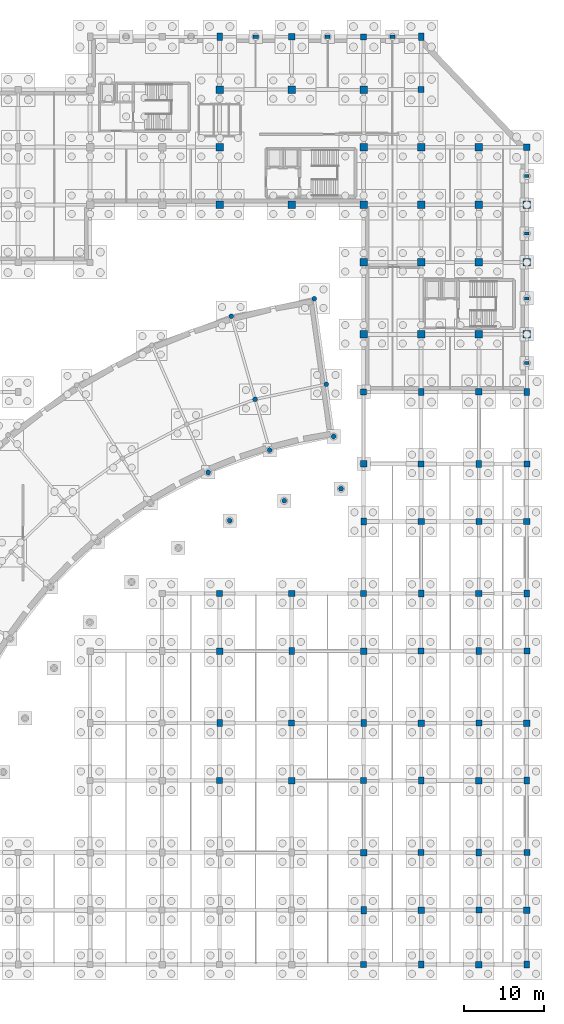
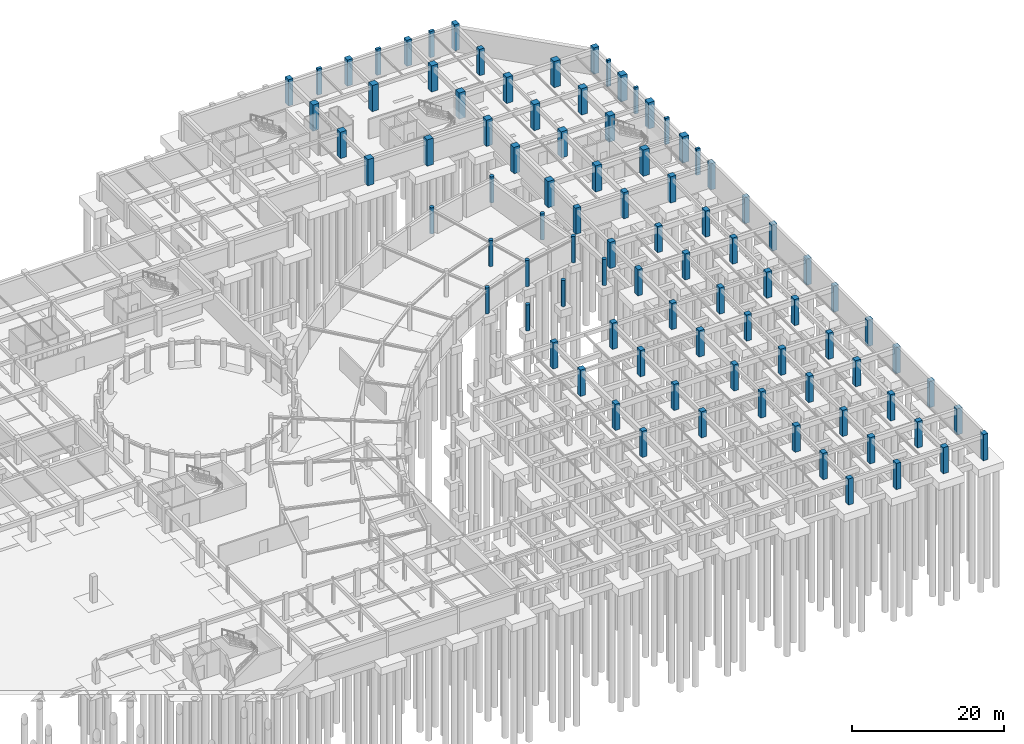
# One storey, part 16 of 42: 92 columns.
"""IFC4 building model written with IfcOpenShell, lengths in metres."""

import ifcopenshell
import ifcopenshell.guid

model = None  # the IFC model being written
_history = None  # IfcOwnerHistory: only IFC2X3 demands one
_inside = {}  # id of a spatial element -> (the spatial element, [elements in it])
_under = {}  # id of a project, library or spatial element -> (it, [spatial elements below it])
_declared = {}  # id of a project -> (the project, [libraries it declares])
_typed = {}  # id of a type object -> (the type object, [elements of that type])
_made_of = {}  # id of a material, layer set ... -> (it, [elements and type objects made of it])


def new_model(schema):
    """Start an empty IFC model of exactly this schema.

    Asked for "IFC4X3", IfcOpenShell would pick the latest addendum, in which some entities
    have other attributes; the version numbers below select the first issue.
    IFC2X3 requires an IfcOwnerHistory on every rooted entity: one is made here for all.
    """
    global model, _history
    if schema == "IFC4X3":
        model = ifcopenshell.file(schema_version=(4, 3, 0, 0))
    else:
        model = ifcopenshell.file(schema=schema)
    _inside.clear()
    _under.clear()
    _declared.clear()
    _typed.clear()
    _made_of.clear()
    _history = None
    if model.schema == "IFC2X3":
        org = make("IfcOrganization", Name="unknown")
        user = make(
            "IfcPersonAndOrganization",
            ThePerson=make("IfcPerson", FamilyName="unknown"),
            TheOrganization=org,
        )
        app = make(
            "IfcApplication",
            ApplicationDeveloper=org,
            Version="unknown",
            ApplicationFullName="unknown",
            ApplicationIdentifier="unknown",
        )
        _history = make(
            "IfcOwnerHistory",
            OwningUser=user,
            OwningApplication=app,
            ChangeAction="ADDED",
            CreationDate=0,
        )
    return model


def make(cls, **values):
    """One entity of the class cls with the attributes given. An attribute that is None is left unset."""
    return model.create_entity(
        cls, **{name: value for name, value in values.items() if value is not None}
    )


def rooted(cls, **values):
    """An entity with a GlobalId (a new one), such as an element, a storey or a relation."""
    return make(cls, GlobalId=ifcopenshell.guid.new(), OwnerHistory=_history, **values)


def si_unit(unit_type, name, prefix=None):
    """IfcSIUnit, for example si_unit("LENGTHUNIT", "METRE", prefix="MILLI")."""
    return make("IfcSIUnit", UnitType=unit_type, Prefix=prefix, Name=name)


def assignment(units):
    """IfcUnitAssignment: the units of a project."""
    return None if units is None else make("IfcUnitAssignment", Units=units)


def point(xyz):
    """IfcCartesianPoint."""
    return None if xyz is None else make("IfcCartesianPoint", Coordinates=xyz)


def direction(xyz):
    """IfcDirection."""
    return None if xyz is None else make("IfcDirection", DirectionRatios=xyz)


def frame(location, z_axis=None, x_axis=None):
    """IfcAxis2Placement3D, a coordinate frame: its origin and axes. An axis left out is left unset."""
    return make(
        "IfcAxis2Placement3D",
        Location=point(location),
        Axis=direction(z_axis),
        RefDirection=direction(x_axis),
    )


def frame_2d(location, x_axis=None):
    """IfcAxis2Placement2D, a coordinate frame in the plane: its origin and x axis."""
    return make(
        "IfcAxis2Placement2D", Location=point(location), RefDirection=direction(x_axis)
    )


def origin():
    """The frame at (0, 0, 0) with its axes left unset."""
    return frame((0.0, 0.0, 0.0))


def origin_2d():
    """The frame at (0, 0) in the plane with its x axis left unset."""
    return frame_2d((0.0, 0.0))


def place(relative_to, where):
    """IfcLocalPlacement: puts the frame where relative to a parent placement (None: the world)."""
    return make(
        "IfcLocalPlacement", PlacementRelTo=relative_to, RelativePlacement=where
    )


def context(
    kind, dimensions, precision=None, world=None, true_north=None, identifier=None
):
    """IfcGeometricRepresentationContext, for example the 3D "Model" context."""
    return make(
        "IfcGeometricRepresentationContext",
        ContextIdentifier=identifier,
        ContextType=kind,
        CoordinateSpaceDimension=dimensions,
        Precision=precision,
        WorldCoordinateSystem=world,
        TrueNorth=true_north,
    )


def subcontext(parent, identifier, kind, view, scale=None):
    """IfcGeometricRepresentationSubContext, for example "Body" below "Model"."""
    return make(
        "IfcGeometricRepresentationSubContext",
        ContextIdentifier=identifier,
        ContextType=kind,
        ParentContext=parent,
        TargetScale=scale,
        TargetView=view,
    )


def project(units=None, contexts=None):
    """IfcProject with its units and contexts."""
    return rooted(
        "IfcProject",
        Name="project",
        RepresentationContexts=contexts,
        UnitsInContext=assignment(units),
    )


def spatial(cls, under=None, at=None, **own):
    """A site, building, storey or space (cls), placed at a placement, below another one or the project."""
    s = rooted(cls, ObjectPlacement=at, **own)
    if under is not None:
        _under.setdefault(under.id(), (under, []))[1].append(s)
    return s


def profile(cls, at=None, kind="AREA", **sizes):
    """A parametric profile (cls). Its sizes go by their IFC names, for example OverallWidth=200.0."""
    return make(cls, ProfileType=kind, Position=at, **sizes)


def rectangle(**sizes):
    """IfcRectangleProfileDef."""
    return profile("IfcRectangleProfileDef", **sizes)


def circle(**sizes):
    """IfcCircleProfileDef."""
    return profile("IfcCircleProfileDef", **sizes)


def extrude(swept, where, along, depth):
    """IfcExtrudedAreaSolid: the profile swept, set in the frame where, extruded along a direction by depth."""
    return make(
        "IfcExtrudedAreaSolid",
        SweptArea=swept,
        Position=where,
        ExtrudedDirection=direction(along),
        Depth=depth,
    )


def shape(context_of_items, identifier, shape_type, items):
    """IfcShapeRepresentation: the items that make up one representation, for example the "Body"."""
    return make(
        "IfcShapeRepresentation",
        ContextOfItems=context_of_items,
        RepresentationIdentifier=identifier,
        RepresentationType=shape_type,
        Items=items,
    )


def material(Name=None, Category=None):
    """IfcMaterial."""
    return make("IfcMaterial", Name=Name, Category=Category)


def material_profile(
    of_material, cross_section, Name=None, Category=None, Priority=None
):
    """IfcMaterialProfile: a cross section and its material."""
    return make(
        "IfcMaterialProfile",
        Name=Name,
        Material=of_material,
        Profile=cross_section,
        Priority=Priority,
        Category=Category,
    )


def profile_set(profiles, Name=None, composite=None):
    """IfcMaterialProfileSet."""
    return make(
        "IfcMaterialProfileSet",
        Name=Name,
        MaterialProfiles=profiles,
        CompositeProfile=composite,
    )


def made_of(thing, what):
    """Note that an element or type object is made of a material, layer set ...; save() writes the relation."""
    if what is not None:
        _made_of.setdefault(what.id(), (what, []))[1].append(thing)
    return thing


def type_object(cls, material=None, **own):
    """A type object (cls), such as IfcWallType, which elements share."""
    return made_of(rooted(cls, **own), material)


def element(
    cls,
    number,
    at=None,
    inside=None,
    cuts=None,
    type_object=None,
    material=None,
    context=None,
    identifier="Body",
    shape_type=None,
    held_by="IfcProductDefinitionShape",
    body=None,
    shapes=None,
    **own,
):
    """One element of the class cls, such as IfcWall. Its Tag is "e" and its number.

    at: its placement. inside: the storey or other place that contains it. cuts: it is an
    opening in that element (IfcRelVoidsElement). A single representation is given by context,
    identifier, shape_type and body (its items); several are given by shapes. held_by: the class
    of the entity that holds the representations. save() writes the other relations.
    """
    e = rooted(cls, Tag="e%d" % number, ObjectPlacement=at, **own)
    if body is not None:
        shapes = [shape(context, identifier, shape_type, body)]
    if shapes is not None:
        e.Representation = make(held_by, Representations=shapes)
    if inside is not None:
        _inside.setdefault(inside.id(), (inside, []))[1].append(e)
    if cuts is not None:
        rooted(
            "IfcRelVoidsElement", RelatingBuildingElement=cuts, RelatedOpeningElement=e
        )
    if type_object is not None:
        _typed.setdefault(type_object.id(), (type_object, []))[1].append(e)
    return made_of(e, material)


def aggregate(whole, parts):
    """IfcRelAggregates: a whole, such as a stair, and the parts it consists of."""
    return rooted("IfcRelAggregates", RelatingObject=whole, RelatedObjects=parts)


def save(model, path):
    """Write the relations noted so far, then the file.

    IfcRelAggregates (storeys below a building ...), IfcRelContainedInSpatialStructure (elements
    in a storey), IfcRelDefinesByType, IfcRelAssociatesMaterial and IfcRelDeclares: one each for
    every whole, place, type object, material and project.
    """
    for whole, parts in _under.values():
        aggregate(whole, parts)
    for where, things in _inside.values():
        rooted(
            "IfcRelContainedInSpatialStructure",
            RelatedElements=things,
            RelatingStructure=where,
        )
    for kind, things in _typed.values():
        rooted("IfcRelDefinesByType", RelatedObjects=things, RelatingType=kind)
    for what, things in _made_of.values():
        rooted("IfcRelAssociatesMaterial", RelatedObjects=things, RelatingMaterial=what)
    for by, libraries in _declared.values():
        rooted("IfcRelDeclares", RelatingContext=by, RelatedDefinitions=libraries)
    model.write(path)


model = new_model("IFC4")

# Units and contexts
model_context = context("Model", 3, precision=1e-05, world=origin(), true_north=direction((0.0, 1.0)))
body_context = subcontext(model_context, "Body", "Model", "MODEL_VIEW")
ifc_project = project(units=[si_unit("LENGTHUNIT", "METRE"), si_unit("AREAUNIT", "SQUARE_METRE"), si_unit("VOLUMEUNIT", "CUBIC_METRE"), si_unit("PLANEANGLEUNIT", "RADIAN"), si_unit("MASSUNIT", "GRAM", prefix="KILO")], contexts=[model_context])

# Site, building, storey
site_placement = place(None, origin())
site = spatial("IfcSite", under=ifc_project, at=site_placement, CompositionType="ELEMENT")
building_placement = place(site_placement, origin())
building = spatial("IfcBuilding", under=site, at=building_placement, Name="Clarverna Civic Hall", CompositionType="ELEMENT")
storey_placement = place(building_placement, frame((0.0, 0.0, -4.199951171875)))
storey = spatial("IfcBuildingStorey", under=building, at=storey_placement, Name="B01", CompositionType="ELEMENT", Elevation=-4.199951171875)

# Columns
ifc_material_1 = material(Name="Concrete C35/45", Category="concrete")
ifc_material_profile_1 = material_profile(ifc_material_1, circle(Radius=0.300048828125, at=origin_2d()), Name="RC D600")
ifc_profile_set_1 = profile_set([ifc_material_profile_1], Name="Concrete C35/45")
column_type_1 = type_object("IfcColumnType", Name="C-CV1", PredefinedType="COLUMN", material=ifc_profile_set_1)
for number, where, z_axis, x_axis, name in (
    (1, (142.92578125, 72.5654296875, 0.0), (0.0, 0.0, 1.0), (1.0, 0.0, 0.0), "C-CV1-001"),
    (2, (134.0283203125, 70.67431640625, 0.0), (0.0, 0.0, 1.0), (1.0, 0.0, 0.0), "C-CV1-003"),
    (3, (141.4228515625, 83.260498046875, 0.0), (0.0, 0.0, 1.0), (1.0, 0.0, 0.0), "C-CV1-021"),
    (4, (131.051513671875, 81.055908203125, 0.0), (0.0, 0.0, 1.0), (1.0, 0.0, 0.0), "C-CV1-023"),
    (5, (143.844482421875, 66.02978515625, 0.0), (0.0, 0.0, 1.0), (1.0, 0.0, 0.0), "C-CV1-039"),
    (6, (135.84765625, 64.329833984375, 0.0), (0.0, 0.0, 1.0), (1.0, 0.0, 0.0), "C-CV1-041"),
    (7, (128.165283203125, 61.53369140625, 0.0), (0.0, 0.0, 1.0), (1.0, 0.0, 0.0), "C-CV1-043"),
    (8, (144.762939453125, 59.493896484375, 0.0), (0.0, 0.0, 1.0), (1.0, 0.0, 0.0), "C-CV1-059"),
    (9, (137.6669921875, 57.985595703125, 0.0), (0.0, 0.0, 1.0), (1.0, 0.0, 0.0), "C-CV1-061"),
    (10, (130.849609375, 55.50439453125, 0.0), (0.0, 0.0, 1.0), (1.0, 0.0, 0.0), "C-CV1-063"),
):
    element("IfcColumn", number, at=place(storey_placement, frame(where, z_axis=z_axis, x_axis=x_axis)), inside=storey, type_object=column_type_1, Name=name, PredefinedType="COLUMN", context=body_context, shape_type="SweptSolid", body=[
        extrude(circle(Radius=0.300048828125, at=origin_2d()), origin(), (0.0, 0.0, 1.0), 4.199951171875),
    ])
ifc_material_2 = material(Name="Precast concrete C40/50", Category="concrete")
ifc_material_profile_2 = material_profile(ifc_material_2, rectangle(XDim=0.64990234375, YDim=0.419921875, at=origin_2d()), Name="PILASTER 650x420")
ifc_profile_set_2 = profile_set([ifc_material_profile_2], Name="Precast concrete C40/50")
column_type_2 = type_object("IfcColumnType", Name="C-PL1", PredefinedType="PILASTER", material=ifc_profile_set_2)
for number, where, z_axis, x_axis, name in (
    (11, (134.10009765625, 116.0, 0.0), (0.0, 0.0, 1.0), (1.0, 0.0, 0.0), "C-PL1-015"),
    (12, (143.10009765625, 116.0, 0.0), (0.0, 0.0, 1.0), (1.0, 0.0, 0.0), "C-PL1-022"),
    (13, (151.199951171875, 116.0, 0.0), (0.0, 0.0, 1.0), (1.0, 0.0, 0.0), "C-PL1-029"),
):
    element("IfcColumn", number, at=place(storey_placement, frame(where, z_axis=z_axis, x_axis=x_axis)), inside=storey, type_object=column_type_2, Name=name, PredefinedType="PILASTER", context=body_context, shape_type="SweptSolid", body=[
        extrude(rectangle(XDim=0.64990234375, YDim=0.419921875, at=origin_2d()), origin(), (0.0, 0.0, 1.0), 4.199951171875),
    ])
ifc_material_profile_3 = material_profile(ifc_material_2, rectangle(XDim=0.580078125, YDim=0.3798828125, at=origin_2d()), Name="PILASTER 580x380")
ifc_profile_set_3 = profile_set([ifc_material_profile_3], Name="Precast concrete C40/50")
column_type_3 = type_object("IfcColumnType", Name="C-PL2", PredefinedType="PILASTER", material=ifc_profile_set_3)
for number, where, z_axis, x_axis, name in (
    (14, (168.0, 75.199951171875, 0.0), (0.0, 0.0, 1.0), (1.0, 0.0, 0.0), "C-PL2-001"),
    (15, (168.0, 83.300048828125, 0.0), (0.0, 0.0, 1.0), (1.0, 0.0, 0.0), "C-PL2-008"),
    (16, (168.0, 91.39990234375, 0.0), (0.0, 0.0, 1.0), (1.0, 0.0, 0.0), "C-PL2-015"),
    (17, (168.0, 98.60009765625, 0.0), (0.0, 0.0, 1.0), (1.0, 0.0, 0.0), "C-PL2-022"),
):
    element("IfcColumn", number, at=place(storey_placement, frame(where, z_axis=z_axis, x_axis=x_axis)), inside=storey, type_object=column_type_3, Name=name, PredefinedType="PILASTER", context=body_context, shape_type="SweptSolid", body=[
        extrude(rectangle(XDim=0.580078125, YDim=0.3798828125, at=origin_2d()), origin(), (0.0, 0.0, 1.0), 4.199951171875),
    ])
ifc_material_3 = material(Name="Concrete C40/50", Category="concrete")
ifc_material_profile_4 = material_profile(ifc_material_3, rectangle(XDim=0.949951171875, YDim=0.949951171875, at=origin_2d()), Name="RC 950x950")
ifc_profile_set_4 = profile_set([ifc_material_profile_4], Name="Concrete C40/50")
column_type_4 = type_object("IfcColumnType", Name="C-RC1", PredefinedType="COLUMN", material=ifc_profile_set_4)
for number, where, z_axis, x_axis, name in (
    (18, (129.60009765625, 95.0, 0.0), (0.0, 0.0, 1.0), (1.0, 0.0, 0.0), "C-RC1-012"),
    (19, (129.60009765625, 102.199951171875, 0.0), (0.0, 0.0, 1.0), (1.0, 0.0, 0.0), "C-RC1-013"),
    (20, (129.60009765625, 109.39990234375, 0.0), (0.0, 0.0, 1.0), (1.0, 0.0, 0.0), "C-RC1-014"),
    (21, (138.60009765625, 95.0, 0.0), (0.0, 0.0, 1.0), (1.0, 0.0, 0.0), "C-RC1-015"),
    (22, (138.60009765625, 109.39990234375, 0.0), (0.0, 0.0, 1.0), (1.0, 0.0, 0.0), "C-RC1-016"),
    (23, (147.60009765625, 78.800048828125, 0.0), (0.0, 0.0, 1.0), (1.0, 0.0, 0.0), "C-RC1-017"),
    (24, (147.60009765625, 87.800048828125, 0.0), (0.0, 0.0, 1.0), (1.0, 0.0, 0.0), "C-RC1-018"),
    (25, (147.60009765625, 95.0, 0.0), (0.0, 0.0, 1.0), (1.0, 0.0, 0.0), "C-RC1-019"),
    (26, (147.60009765625, 102.199951171875, 0.0), (0.0, 0.0, 1.0), (1.0, 0.0, 0.0), "C-RC1-020"),
    (27, (147.60009765625, 109.39990234375, 0.0), (0.0, 0.0, 1.0), (1.0, 0.0, 0.0), "C-RC1-021"),
    (28, (154.800048828125, 78.800048828125, 0.0), (0.0, 0.0, 1.0), (1.0, 0.0, 0.0), "C-RC1-022"),
    (29, (154.800048828125, 87.800048828125, 0.0), (0.0, 0.0, 1.0), (1.0, 0.0, 0.0), "C-RC1-023"),
    (30, (154.800048828125, 95.0, 0.0), (0.0, 0.0, 1.0), (1.0, 0.0, 0.0), "C-RC1-024"),
    (31, (154.800048828125, 102.199951171875, 0.0), (0.0, 0.0, 1.0), (1.0, 0.0, 0.0), "C-RC1-025"),
    (32, (162.0, 78.800048828125, 0.0), (0.0, 0.0, 1.0), (1.0, 0.0, 0.0), "C-RC1-026"),
    (33, (162.0, 87.800048828125, 0.0), (0.0, 0.0, 1.0), (1.0, 0.0, 0.0), "C-RC1-027"),
    (34, (162.0, 95.0, 0.0), (0.0, 0.0, 1.0), (1.0, 0.0, 0.0), "C-RC1-028"),
    (35, (162.0, 102.199951171875, 0.0), (0.0, 0.0, 1.0), (1.0, 0.0, 0.0), "C-RC1-029"),
    (36, (168.0, 78.800048828125, 0.0), (0.0, 0.0, 1.0), (1.0, 0.0, 0.0), "C-RC1-030"),
    (37, (168.0, 87.800048828125, 0.0), (0.0, 0.0, 1.0), (1.0, 0.0, 0.0), "C-RC1-031"),
    (38, (168.0, 95.0, 0.0), (0.0, 0.0, 1.0), (1.0, 0.0, 0.0), "C-RC1-032"),
):
    element("IfcColumn", number, at=place(storey_placement, frame(where, z_axis=z_axis, x_axis=x_axis)), inside=storey, type_object=column_type_4, Name=name, PredefinedType="COLUMN", context=body_context, shape_type="SweptSolid", body=[
        extrude(rectangle(XDim=0.949951171875, YDim=0.949951171875, at=origin_2d()), origin(), (0.0, 0.0, 1.0), 4.199951171875),
    ])
ifc_material_profile_5 = material_profile(ifc_material_3, rectangle(XDim=0.800048828125, YDim=0.800048828125, at=origin_2d()), Name="RC 800x800")
ifc_profile_set_5 = profile_set([ifc_material_profile_5], Name="Concrete C40/50")
column_type_5 = type_object("IfcColumnType", Name="C-RC4", PredefinedType="COLUMN", material=ifc_profile_set_5)
for number, where, z_axis, x_axis, name in (
    (39, (129.60009765625, 39.199951171875, 0.0), (0.0, 0.0, 1.0), (1.0, 0.0, 0.0), "C-RC4-062"),
    (40, (138.60009765625, 23.0, 0.0), (0.0, 0.0, 1.0), (1.0, 0.0, 0.0), "C-RC4-067"),
    (41, (138.60009765625, 46.39990234375, 0.0), (0.0, 0.0, 1.0), (1.0, 0.0, 0.0), "C-RC4-068"),
    (42, (138.60009765625, 116.0, 0.0), (0.0, 0.0, 1.0), (1.0, 0.0, 0.0), "C-RC4-071"),
    (43, (147.60009765625, 14.0, 0.0), (0.0, 0.0, 1.0), (1.0, 0.0, 0.0), "C-RC4-072"),
    (44, (147.60009765625, 39.199951171875, 0.0), (0.0, 0.0, 1.0), (1.0, 0.0, 0.0), "C-RC4-073"),
    (45, (147.60009765625, 62.60009765625, 0.0), (0.0, 0.0, 1.0), (1.0, 0.0, 0.0), "C-RC4-074"),
    (46, (154.800048828125, 6.800048828125, 0.0), (0.0, 0.0, 1.0), (1.0, 0.0, 0.0), "C-RC4-080"),
    (47, (154.800048828125, 30.199951171875, 0.0), (0.0, 0.0, 1.0), (1.0, 0.0, 0.0), "C-RC4-081"),
    (48, (154.800048828125, 55.39990234375, 0.0), (0.0, 0.0, 1.0), (1.0, 0.0, 0.0), "C-RC4-082"),
    (49, (162.0, 0.0, 0.0), (0.0, 0.0, 1.0), (1.0, 0.0, 0.0), "C-RC4-087"),
    (50, (162.0, 23.0, 0.0), (0.0, 0.0, 1.0), (1.0, 0.0, 0.0), "C-RC4-088"),
    (51, (162.0, 46.39990234375, 0.0), (0.0, 0.0, 1.0), (1.0, 0.0, 0.0), "C-RC4-089"),
    (52, (162.0, 71.60009765625, 0.0), (0.0, 0.0, 1.0), (1.0, 0.0, 0.0), "C-RC4-090"),
    (53, (168.0, 6.800048828125, 0.0), (0.0, 0.0, 1.0), (1.0, 0.0, 0.0), "C-RC4-095"),
    (54, (168.0, 30.199951171875, 0.0), (0.0, 0.0, 1.0), (1.0, 0.0, 0.0), "C-RC4-096"),
    (55, (168.0, 55.39990234375, 0.0), (0.0, 0.0, 1.0), (1.0, 0.0, 0.0), "C-RC4-097"),
    (56, (168.0, 102.199951171875, 0.0), (0.0, 0.0, 1.0), (1.0, 0.0, 0.0), "C-RC4-101"),
):
    element("IfcColumn", number, at=place(storey_placement, frame(where, z_axis=z_axis, x_axis=x_axis)), inside=storey, type_object=column_type_5, Name=name, PredefinedType="COLUMN", context=body_context, shape_type="SweptSolid", body=[
        extrude(rectangle(XDim=0.800048828125, YDim=0.800048828125, at=origin_2d()), origin(), (0.0, 0.0, 1.0), 4.199951171875),
    ])
ifc_material_profile_6 = material_profile(ifc_material_3, rectangle(XDim=0.75, YDim=0.75, at=origin_2d()), Name="RC 750x750")
ifc_profile_set_6 = profile_set([ifc_material_profile_6], Name="Concrete C40/50")
column_type_6 = type_object("IfcColumnType", Name="C-RC5", PredefinedType="COLUMN", material=ifc_profile_set_6)
for number, where, z_axis, x_axis, name in (
    (57, (129.60009765625, 23.0, 0.0), (0.0, 0.0, 1.0), (1.0, 0.0, 0.0), "C-RC5-061"),
    (58, (129.60009765625, 46.39990234375, 0.0), (0.0, 0.0, 1.0), (1.0, 0.0, 0.0), "C-RC5-062"),
    (59, (138.60009765625, 30.199951171875, 0.0), (0.0, 0.0, 1.0), (1.0, 0.0, 0.0), "C-RC5-067"),
    (60, (147.60009765625, 0.0, 0.0), (0.0, 0.0, 1.0), (1.0, 0.0, 0.0), "C-RC5-070"),
    (61, (147.60009765625, 23.0, 0.0), (0.0, 0.0, 1.0), (1.0, 0.0, 0.0), "C-RC5-071"),
    (62, (147.60009765625, 46.39990234375, 0.0), (0.0, 0.0, 1.0), (1.0, 0.0, 0.0), "C-RC5-072"),
    (63, (147.60009765625, 71.60009765625, 0.0), (0.0, 0.0, 1.0), (1.0, 0.0, 0.0), "C-RC5-073"),
    (64, (147.60009765625, 116.0, 0.0), (0.0, 0.0, 1.0), (1.0, 0.0, 0.0), "C-RC5-079"),
    (65, (154.800048828125, 14.0, 0.0), (0.0, 0.0, 1.0), (1.0, 0.0, 0.0), "C-RC5-080"),
    (66, (154.800048828125, 39.199951171875, 0.0), (0.0, 0.0, 1.0), (1.0, 0.0, 0.0), "C-RC5-081"),
    (67, (154.800048828125, 62.60009765625, 0.0), (0.0, 0.0, 1.0), (1.0, 0.0, 0.0), "C-RC5-082"),
    (68, (154.800048828125, 109.39990234375, 0.0), (0.0, 0.0, 1.0), (1.0, 0.0, 0.0), "C-RC5-087"),
    (69, (162.0, 6.800048828125, 0.0), (0.0, 0.0, 1.0), (1.0, 0.0, 0.0), "C-RC5-088"),
    (70, (162.0, 30.199951171875, 0.0), (0.0, 0.0, 1.0), (1.0, 0.0, 0.0), "C-RC5-089"),
    (71, (162.0, 55.39990234375, 0.0), (0.0, 0.0, 1.0), (1.0, 0.0, 0.0), "C-RC5-090"),
    (72, (168.0, 14.0, 0.0), (0.0, 0.0, 1.0), (1.0, 0.0, 0.0), "C-RC5-095"),
    (73, (168.0, 39.199951171875, 0.0), (0.0, 0.0, 1.0), (1.0, 0.0, 0.0), "C-RC5-096"),
    (74, (168.0, 62.60009765625, 0.0), (0.0, 0.0, 1.0), (1.0, 0.0, 0.0), "C-RC5-097"),
):
    element("IfcColumn", number, at=place(storey_placement, frame(where, z_axis=z_axis, x_axis=x_axis)), inside=storey, type_object=column_type_6, Name=name, PredefinedType="COLUMN", context=body_context, shape_type="SweptSolid", body=[
        extrude(rectangle(XDim=0.75, YDim=0.75, at=origin_2d()), origin(), (0.0, 0.0, 1.0), 4.199951171875),
    ])
ifc_material_profile_7 = material_profile(ifc_material_3, rectangle(XDim=0.699951171875, YDim=0.89990234375, at=origin_2d()), Name="RC 700x900")
ifc_profile_set_7 = profile_set([ifc_material_profile_7], Name="Concrete C40/50")
column_type_7 = type_object("IfcColumnType", Name="C-RC6", PredefinedType="COLUMN", material=ifc_profile_set_7)
for number, where, z_axis, x_axis, name in (
    (75, (129.60009765625, 30.199951171875, 0.0), (0.0, 0.0, 1.0), (1.0, 0.0, 0.0), "C-RC6-090"),
    (76, (129.60009765625, 116.0, 0.0), (0.0, 0.0, 1.0), (1.0, 0.0, 0.0), "C-RC6-091"),
    (77, (138.60009765625, 39.199951171875, 0.0), (0.0, 0.0, 1.0), (1.0, 0.0, 0.0), "C-RC6-093"),
    (78, (147.60009765625, 6.800048828125, 0.0), (0.0, 0.0, 1.0), (1.0, 0.0, 0.0), "C-RC6-095"),
    (79, (147.60009765625, 30.199951171875, 0.0), (0.0, 0.0, 1.0), (1.0, 0.0, 0.0), "C-RC6-096"),
    (80, (147.60009765625, 55.39990234375, 0.0), (0.0, 0.0, 1.0), (1.0, 0.0, 0.0), "C-RC6-097"),
    (81, (154.800048828125, 0.0, 0.0), (0.0, 0.0, 1.0), (1.0, 0.0, 0.0), "C-RC6-098"),
    (82, (154.800048828125, 23.0, 0.0), (0.0, 0.0, 1.0), (1.0, 0.0, 0.0), "C-RC6-099"),
    (83, (154.800048828125, 46.39990234375, 0.0), (0.0, 0.0, 1.0), (1.0, 0.0, 0.0), "C-RC6-100"),
    (84, (154.800048828125, 71.60009765625, 0.0), (0.0, 0.0, 1.0), (1.0, 0.0, 0.0), "C-RC6-101"),
    (85, (154.800048828125, 116.0, 0.0), (0.0, 0.0, 1.0), (1.0, 0.0, 0.0), "C-RC6-102"),
    (86, (162.0, 14.0, 0.0), (0.0, 0.0, 1.0), (1.0, 0.0, 0.0), "C-RC6-103"),
    (87, (162.0, 39.199951171875, 0.0), (0.0, 0.0, 1.0), (1.0, 0.0, 0.0), "C-RC6-104"),
    (88, (162.0, 62.60009765625, 0.0), (0.0, 0.0, 1.0), (1.0, 0.0, 0.0), "C-RC6-105"),
    (89, (168.0, 0.0, 0.0), (0.0, 0.0, 1.0), (1.0, 0.0, 0.0), "C-RC6-107"),
    (90, (168.0, 23.0, 0.0), (0.0, 0.0, 1.0), (1.0, 0.0, 0.0), "C-RC6-108"),
    (91, (168.0, 46.39990234375, 0.0), (0.0, 0.0, 1.0), (1.0, 0.0, 0.0), "C-RC6-109"),
    (92, (168.0, 71.60009765625, 0.0), (0.0, 0.0, 1.0), (1.0, 0.0, 0.0), "C-RC6-110"),
):
    element("IfcColumn", number, at=place(storey_placement, frame(where, z_axis=z_axis, x_axis=x_axis)), inside=storey, type_object=column_type_7, Name=name, PredefinedType="COLUMN", context=body_context, shape_type="SweptSolid", body=[
        extrude(rectangle(XDim=0.699951171875, YDim=0.89990234375, at=origin_2d()), origin(), (0.0, 0.0, 1.0), 4.199951171875),
    ])

save(model, "model.ifc")
